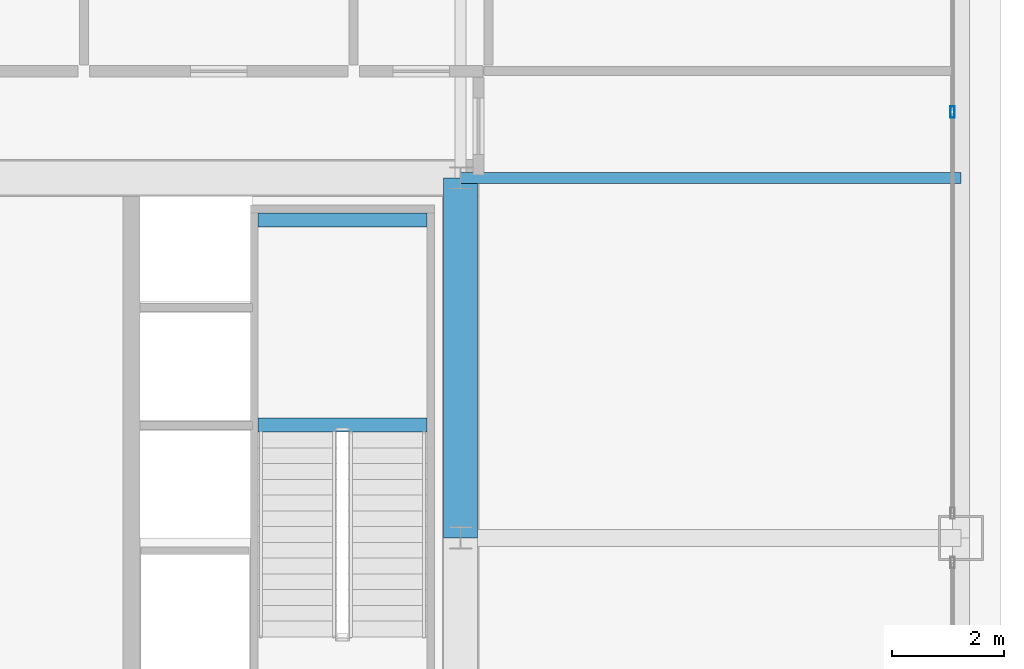
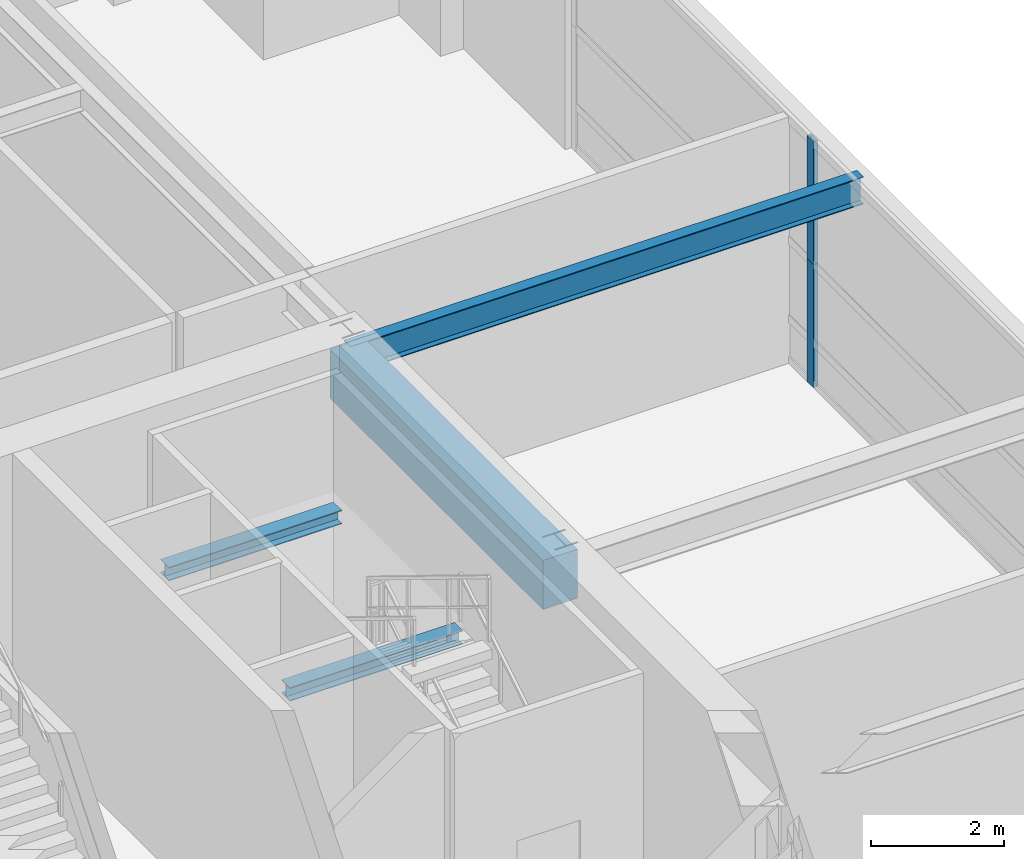
# One storey, part 19 of 34: 4 beams, 2 members, 1 element without a shape of its own.
"""IFC4 building model written with IfcOpenShell, lengths in metres."""

import ifcopenshell
import ifcopenshell.guid

model = None  # the IFC model being written
_history = None  # IfcOwnerHistory: only IFC2X3 demands one
_inside = {}  # id of a spatial element -> (the spatial element, [elements in it])
_under = {}  # id of a project, library or spatial element -> (it, [spatial elements below it])
_declared = {}  # id of a project -> (the project, [libraries it declares])
_typed = {}  # id of a type object -> (the type object, [elements of that type])
_made_of = {}  # id of a material, layer set ... -> (it, [elements and type objects made of it])


def new_model(schema):
    """Start an empty IFC model of exactly this schema.

    Asked for "IFC4X3", IfcOpenShell would pick the latest addendum, in which some entities
    have other attributes; the version numbers below select the first issue.
    IFC2X3 requires an IfcOwnerHistory on every rooted entity: one is made here for all.
    """
    global model, _history
    if schema == "IFC4X3":
        model = ifcopenshell.file(schema_version=(4, 3, 0, 0))
    else:
        model = ifcopenshell.file(schema=schema)
    _inside.clear()
    _under.clear()
    _declared.clear()
    _typed.clear()
    _made_of.clear()
    _history = None
    if model.schema == "IFC2X3":
        org = make("IfcOrganization", Name="unknown")
        user = make(
            "IfcPersonAndOrganization",
            ThePerson=make("IfcPerson", FamilyName="unknown"),
            TheOrganization=org,
        )
        app = make(
            "IfcApplication",
            ApplicationDeveloper=org,
            Version="unknown",
            ApplicationFullName="unknown",
            ApplicationIdentifier="unknown",
        )
        _history = make(
            "IfcOwnerHistory",
            OwningUser=user,
            OwningApplication=app,
            ChangeAction="ADDED",
            CreationDate=0,
        )
    return model


def make(cls, **values):
    """One entity of the class cls with the attributes given. An attribute that is None is left unset."""
    return model.create_entity(
        cls, **{name: value for name, value in values.items() if value is not None}
    )


def rooted(cls, **values):
    """An entity with a GlobalId (a new one), such as an element, a storey or a relation."""
    return make(cls, GlobalId=ifcopenshell.guid.new(), OwnerHistory=_history, **values)


def si_unit(unit_type, name, prefix=None):
    """IfcSIUnit, for example si_unit("LENGTHUNIT", "METRE", prefix="MILLI")."""
    return make("IfcSIUnit", UnitType=unit_type, Prefix=prefix, Name=name)


def assignment(units):
    """IfcUnitAssignment: the units of a project."""
    return None if units is None else make("IfcUnitAssignment", Units=units)


def point(xyz):
    """IfcCartesianPoint."""
    return None if xyz is None else make("IfcCartesianPoint", Coordinates=xyz)


def direction(xyz):
    """IfcDirection."""
    return None if xyz is None else make("IfcDirection", DirectionRatios=xyz)


def frame(location, z_axis=None, x_axis=None):
    """IfcAxis2Placement3D, a coordinate frame: its origin and axes. An axis left out is left unset."""
    return make(
        "IfcAxis2Placement3D",
        Location=point(location),
        Axis=direction(z_axis),
        RefDirection=direction(x_axis),
    )


def frame_2d(location, x_axis=None):
    """IfcAxis2Placement2D, a coordinate frame in the plane: its origin and x axis."""
    return make(
        "IfcAxis2Placement2D", Location=point(location), RefDirection=direction(x_axis)
    )


def origin():
    """The frame at (0, 0, 0) with its axes left unset."""
    return frame((0.0, 0.0, 0.0))


def origin_2d():
    """The frame at (0, 0) in the plane with its x axis left unset."""
    return frame_2d((0.0, 0.0))


def place(relative_to, where):
    """IfcLocalPlacement: puts the frame where relative to a parent placement (None: the world)."""
    return make(
        "IfcLocalPlacement", PlacementRelTo=relative_to, RelativePlacement=where
    )


def context(
    kind, dimensions, precision=None, world=None, true_north=None, identifier=None
):
    """IfcGeometricRepresentationContext, for example the 3D "Model" context."""
    return make(
        "IfcGeometricRepresentationContext",
        ContextIdentifier=identifier,
        ContextType=kind,
        CoordinateSpaceDimension=dimensions,
        Precision=precision,
        WorldCoordinateSystem=world,
        TrueNorth=true_north,
    )


def subcontext(parent, identifier, kind, view, scale=None):
    """IfcGeometricRepresentationSubContext, for example "Body" below "Model"."""
    return make(
        "IfcGeometricRepresentationSubContext",
        ContextIdentifier=identifier,
        ContextType=kind,
        ParentContext=parent,
        TargetScale=scale,
        TargetView=view,
    )


def project(units=None, contexts=None):
    """IfcProject with its units and contexts."""
    return rooted(
        "IfcProject",
        Name="project",
        RepresentationContexts=contexts,
        UnitsInContext=assignment(units),
    )


def spatial(cls, under=None, at=None, **own):
    """A site, building, storey or space (cls), placed at a placement, below another one or the project."""
    s = rooted(cls, ObjectPlacement=at, **own)
    if under is not None:
        _under.setdefault(under.id(), (under, []))[1].append(s)
    return s


def profile(cls, at=None, kind="AREA", **sizes):
    """A parametric profile (cls). Its sizes go by their IFC names, for example OverallWidth=200.0."""
    return make(cls, ProfileType=kind, Position=at, **sizes)


def rectangle(**sizes):
    """IfcRectangleProfileDef."""
    return profile("IfcRectangleProfileDef", **sizes)


def hollow_rectangle(**sizes):
    """IfcRectangleHollowProfileDef."""
    return profile("IfcRectangleHollowProfileDef", **sizes)


def i_section(**sizes):
    """IfcIShapeProfileDef."""
    return profile("IfcIShapeProfileDef", **sizes)


def extrude(swept, where, along, depth):
    """IfcExtrudedAreaSolid: the profile swept, set in the frame where, extruded along a direction by depth."""
    return make(
        "IfcExtrudedAreaSolid",
        SweptArea=swept,
        Position=where,
        ExtrudedDirection=direction(along),
        Depth=depth,
    )


def shape(context_of_items, identifier, shape_type, items):
    """IfcShapeRepresentation: the items that make up one representation, for example the "Body"."""
    return make(
        "IfcShapeRepresentation",
        ContextOfItems=context_of_items,
        RepresentationIdentifier=identifier,
        RepresentationType=shape_type,
        Items=items,
    )


def source(mapping_origin, context_of_items, identifier, shape_type, items):
    """IfcRepresentationMap: a shape defined once, which mapped items show again and again."""
    return make(
        "IfcRepresentationMap",
        MappingOrigin=mapping_origin,
        MappedRepresentation=shape(context_of_items, identifier, shape_type, items),
    )


def transform(
    local_origin,
    x_axis=None,
    y_axis=None,
    z_axis=None,
    scale=None,
    scale2=None,
    scale3=None,
    uniform=True,
):
    """IfcCartesianTransformationOperator3D, or its non-uniform kind. x_axis, y_axis, z_axis: its Axis1, 2, 3."""
    if uniform:
        return make(
            "IfcCartesianTransformationOperator3D",
            Axis1=direction(x_axis),
            Axis2=direction(y_axis),
            LocalOrigin=point(local_origin),
            Scale=scale,
            Axis3=direction(z_axis),
        )
    return make(
        "IfcCartesianTransformationOperator3DnonUniform",
        Axis1=direction(x_axis),
        Axis2=direction(y_axis),
        LocalOrigin=point(local_origin),
        Scale=scale,
        Axis3=direction(z_axis),
        Scale2=scale2,
        Scale3=scale3,
    )


def mapped(mapping_source, mapping_target):
    """IfcMappedItem: shows the shape of a source again, moved by a transform."""
    return make(
        "IfcMappedItem", MappingSource=mapping_source, MappingTarget=mapping_target
    )


def material(Name=None, Category=None):
    """IfcMaterial."""
    return make("IfcMaterial", Name=Name, Category=Category)


def layer(
    of_material, thickness, ventilated=None, Name=None, Category=None, Priority=None
):
    """IfcMaterialLayer: one layer of a wall or slab, of a material (None: an air gap)."""
    return make(
        "IfcMaterialLayer",
        Material=of_material,
        LayerThickness=thickness,
        IsVentilated=ventilated,
        Name=Name,
        Category=Category,
        Priority=Priority,
    )


def layer_set(layers, Name=None):
    """IfcMaterialLayerSet."""
    return make("IfcMaterialLayerSet", MaterialLayers=layers, LayerSetName=Name)


def material_profile(
    of_material, cross_section, Name=None, Category=None, Priority=None
):
    """IfcMaterialProfile: a cross section and its material."""
    return make(
        "IfcMaterialProfile",
        Name=Name,
        Material=of_material,
        Profile=cross_section,
        Priority=Priority,
        Category=Category,
    )


def profile_set(profiles, Name=None, composite=None):
    """IfcMaterialProfileSet."""
    return make(
        "IfcMaterialProfileSet",
        Name=Name,
        MaterialProfiles=profiles,
        CompositeProfile=composite,
    )


def made_of(thing, what):
    """Note that an element or type object is made of a material, layer set ...; save() writes the relation."""
    if what is not None:
        _made_of.setdefault(what.id(), (what, []))[1].append(thing)
    return thing


def type_object(cls, material=None, **own):
    """A type object (cls), such as IfcWallType, which elements share."""
    return made_of(rooted(cls, **own), material)


def element(
    cls,
    number,
    at=None,
    inside=None,
    cuts=None,
    type_object=None,
    material=None,
    context=None,
    identifier="Body",
    shape_type=None,
    held_by="IfcProductDefinitionShape",
    body=None,
    shapes=None,
    **own,
):
    """One element of the class cls, such as IfcWall. Its Tag is "e" and its number.

    at: its placement. inside: the storey or other place that contains it. cuts: it is an
    opening in that element (IfcRelVoidsElement). A single representation is given by context,
    identifier, shape_type and body (its items); several are given by shapes. held_by: the class
    of the entity that holds the representations. save() writes the other relations.
    """
    e = rooted(cls, Tag="e%d" % number, ObjectPlacement=at, **own)
    if body is not None:
        shapes = [shape(context, identifier, shape_type, body)]
    if shapes is not None:
        e.Representation = make(held_by, Representations=shapes)
    if inside is not None:
        _inside.setdefault(inside.id(), (inside, []))[1].append(e)
    if cuts is not None:
        rooted(
            "IfcRelVoidsElement", RelatingBuildingElement=cuts, RelatedOpeningElement=e
        )
    if type_object is not None:
        _typed.setdefault(type_object.id(), (type_object, []))[1].append(e)
    return made_of(e, material)


def aggregate(whole, parts):
    """IfcRelAggregates: a whole, such as a stair, and the parts it consists of."""
    return rooted("IfcRelAggregates", RelatingObject=whole, RelatedObjects=parts)


def save(model, path):
    """Write the relations noted so far, then the file.

    IfcRelAggregates (storeys below a building ...), IfcRelContainedInSpatialStructure (elements
    in a storey), IfcRelDefinesByType, IfcRelAssociatesMaterial and IfcRelDeclares: one each for
    every whole, place, type object, material and project.
    """
    for whole, parts in _under.values():
        aggregate(whole, parts)
    for where, things in _inside.values():
        rooted(
            "IfcRelContainedInSpatialStructure",
            RelatedElements=things,
            RelatingStructure=where,
        )
    for kind, things in _typed.values():
        rooted("IfcRelDefinesByType", RelatedObjects=things, RelatingType=kind)
    for what, things in _made_of.values():
        rooted("IfcRelAssociatesMaterial", RelatedObjects=things, RelatingMaterial=what)
    for by, libraries in _declared.values():
        rooted("IfcRelDeclares", RelatingContext=by, RelatedDefinitions=libraries)
    model.write(path)


model = new_model("IFC4")

# Units and contexts
model_context = context("Model", 3, precision=1e-05, world=origin(), true_north=direction((0.0, 1.0)))
body_context = subcontext(model_context, "Body", "Model", "MODEL_VIEW")
ifc_project = project(units=[si_unit("LENGTHUNIT", "METRE"), si_unit("AREAUNIT", "SQUARE_METRE"), si_unit("VOLUMEUNIT", "CUBIC_METRE"), si_unit("PLANEANGLEUNIT", "RADIAN"), si_unit("MASSUNIT", "GRAM", prefix="KILO"), si_unit("THERMODYNAMICTEMPERATUREUNIT", "KELVIN"), si_unit("POWERUNIT", "WATT")], contexts=[model_context])

# Site, building, storey
site_placement = place(None, origin())
site = spatial("IfcSite", under=ifc_project, at=site_placement, CompositionType="ELEMENT")
building_placement = place(site_placement, origin())
building = spatial("IfcBuilding", under=site, at=building_placement, Name="Yuzanri Waterfront Tower", CompositionType="ELEMENT")
storey_placement = place(building_placement, frame((0.0, 0.0, 171.60009765625)))
storey = spatial("IfcBuildingStorey", under=building, at=storey_placement, Name="L45", CompositionType="ELEMENT", Elevation=171.60009765625)

# Beams
ifc_material_1 = material(Name="Concrete C60", Category="concrete")
ifc_material_profile_1 = material_profile(ifc_material_1, rectangle(XDim=0.60009765625, YDim=0.89990234375, at=origin_2d()), Name="RC 600x900")
ifc_profile_set_1 = profile_set([ifc_material_profile_1], Name="Concrete C60")
beam_type_1 = type_object("IfcBeamType", Name="Core Coupling Lintel Concrete C60 600x900", PredefinedType="LINTEL", material=ifc_profile_set_1)
shared_shape_1 = source(origin(), body_context, "Body", "SweptSolid", [
    extrude(rectangle(XDim=0.60009765625, YDim=0.89990234375, at=origin_2d()), origin(), (0.0, 0.0, 1.0), 6.39990234375),
])
beam_1_placement = place(storey_placement, frame((50.199951171875, 25.800048828125, 4.06982421875), z_axis=(0.0, 1.0, 0.0), x_axis=(-1.0, 0.0, 0.0)))
element("IfcBeam", 1, at=beam_1_placement, inside=storey, type_object=beam_type_1, Name="L45 Core Tie Beam CE2", PredefinedType="LINTEL", context=body_context, shape_type="MappedRepresentation", body=[
    mapped(shared_shape_1, transform((0.0, 0.0, 0.0), scale=1.0)),
])
ifc_material_2 = material(Name="Steel Q355B", Category="steel")
ifc_material_profile_2 = material_profile(ifc_material_2, i_section(OverallWidth=0.199951171875, OverallDepth=0.5, WebThickness=0.010009765625, FlangeThickness=0.01611328125, at=origin_2d()), Name="HN 500x200x10x16")
ifc_profile_set_2 = profile_set([ifc_material_profile_2], Name="Steel Q355B")
beam_type_2 = type_object("IfcBeamType", Name="Secondary Floor Beam Q355B HN 500x200", PredefinedType="BEAM", material=ifc_profile_set_2)
shared_shape_2 = source(origin(), body_context, "Body", "SweptSolid", [
    extrude(i_section(OverallWidth=0.199951171875, OverallDepth=0.5, WebThickness=0.010009765625, FlangeThickness=0.01611328125, at=origin_2d()), origin(), (0.0, 0.0, 1.0), 8.900146484375),
])
beam_2_placement = place(storey_placement, frame((50.199951171875, 32.199951171875, 4.27001953125), z_axis=(1.0, 0.0, 0.0), x_axis=(0.0, 1.0, 0.0)))
element("IfcBeam", 2, at=beam_2_placement, inside=storey, type_object=beam_type_2, Name="L45 East-North Core Line Beam", PredefinedType="BEAM", context=body_context, shape_type="MappedRepresentation", body=[
    mapped(shared_shape_2, transform((0.0, 0.0, 0.0), scale=1.0)),
])

# Curtain wall, members
ifc_material_3 = material(Name="Anodized Architectural Bronze", Category="metal")
ifc_layer = layer(ifc_material_3, 0.159912109375)
ifc_layer_set = layer_set([ifc_layer], Name="Anodized Architectural Bronze")
curtain_wall_type = type_object("IfcCurtainWallType", Name="Anodized Bronze Sky-Lobby Triple-Glazed Feature Curtain Wall 7500", PredefinedType="NOTDEFINED", material=ifc_layer_set)
curtain_wall_placement = place(storey_placement, origin())
curtain_wall = element("IfcCurtainWall", 3, at=curtain_wall_placement, inside=storey, type_object=curtain_wall_type, Name="L45 Curtain Wall CW-L45-ER", PredefinedType="NOTDEFINED")
ifc_material_4 = material(Name="Anodized Architectural Bronze", Category="metal")
ifc_material_profile_3 = material_profile(ifc_material_4, hollow_rectangle(XDim=0.074951171875, YDim=0.199951171875, WallThickness=0.00390625, at=origin_2d()), Name="CWM 75x200")
ifc_profile_set_3 = profile_set([ifc_material_profile_3], Name="Anodized Architectural Bronze")
member_type = type_object("IfcMemberType", Name="Anodized Bronze Primary Curtain-Wall Mullion 75x200", PredefinedType="MULLION", material=ifc_profile_set_3)
shared_shape_3 = source(origin(), body_context, "Body", "SweptSolid", [
    extrude(hollow_rectangle(XDim=0.074951171875, YDim=0.199951171875, WallThickness=0.00390625, at=origin_2d()), origin(), (0.0, 0.0, 1.0), 2.258056640625),
])
member_1_placement = place(storey_placement, frame((58.949951171875, 33.375, 2.261962890625), z_axis=(0.0, 0.0, 1.0), x_axis=(1.0, 0.0, 0.0)))
member_1 = element("IfcMember", 4, at=member_1_placement, type_object=member_type, Name="CW-L45-ER Upper Mullion 01", PredefinedType="MULLION", context=body_context, shape_type="MappedRepresentation", body=[
    mapped(shared_shape_3, transform((0.0, 0.0, 0.0), scale=1.0)),
])
shared_shape_4 = source(origin(), body_context, "Body", "SweptSolid", [
    extrude(hollow_rectangle(XDim=0.074951171875, YDim=0.199951171875, WallThickness=0.00390625, at=origin_2d()), origin(), (0.0, 0.0, 1.0), 2.2578125),
])
member_2_placement = place(storey_placement, frame((58.949951171875, 33.375, 0.0), z_axis=(0.0, 0.0, 1.0), x_axis=(1.0, 0.0, 0.0)))
member_2 = element("IfcMember", 5, at=member_2_placement, type_object=member_type, Name="CW-L45-ER Lower Mullion 01", PredefinedType="MULLION", context=body_context, shape_type="MappedRepresentation", body=[
    mapped(shared_shape_4, transform((0.0, 0.0, 0.0), scale=1.0)),
])
aggregate(curtain_wall, [member_2, member_1])

# Beams
ifc_material_5 = material(Name="Steel Q355B", Category="steel")
ifc_material_profile_4 = material_profile(ifc_material_5, i_section(OverallWidth=0.25, OverallDepth=0.25, WebThickness=0.009033203125, FlangeThickness=0.013916015625, at=origin_2d()), Name="HW 250x250x9x14")
ifc_profile_set_4 = profile_set([ifc_material_profile_4], Name="Steel Q355B")
beam_type_3 = type_object("IfcBeamType", Name="Stair Landing Support Beam Q355B HW 250x250", PredefinedType="BEAM", material=ifc_profile_set_4)
shared_shape_5 = source(origin(), body_context, "Body", "SweptSolid", [
    extrude(i_section(OverallWidth=0.25, OverallDepth=0.25, WebThickness=0.009033203125, FlangeThickness=0.013916015625, at=origin_2d()), origin(), (0.0, 0.0, 1.0), 3.0),
])
for number, where, z_axis, x_axis, name in (
    (6, (46.60009765625, 27.81005859375, 2.074951171875), (1.0, 0.0, 0.0), (0.0, 1.0, 0.0), "L45 Stair Landing Support Beam ST-02-L45-L1-1"),
    (7, (46.60009765625, 31.449951171875, 2.074951171875), (1.0, 0.0, 0.0), (0.0, 1.0, 0.0), "L45 Stair Landing Support Beam ST-02-L45-L1-2"),
):
    element("IfcBeam", number, at=place(storey_placement, frame(where, z_axis=z_axis, x_axis=x_axis)), inside=storey, type_object=beam_type_3, Name=name, PredefinedType="BEAM", context=body_context, shape_type="MappedRepresentation", body=[
        mapped(shared_shape_5, transform((0.0, 0.0, 0.0), scale=1.0)),
    ])

save(model, "model.ifc")
